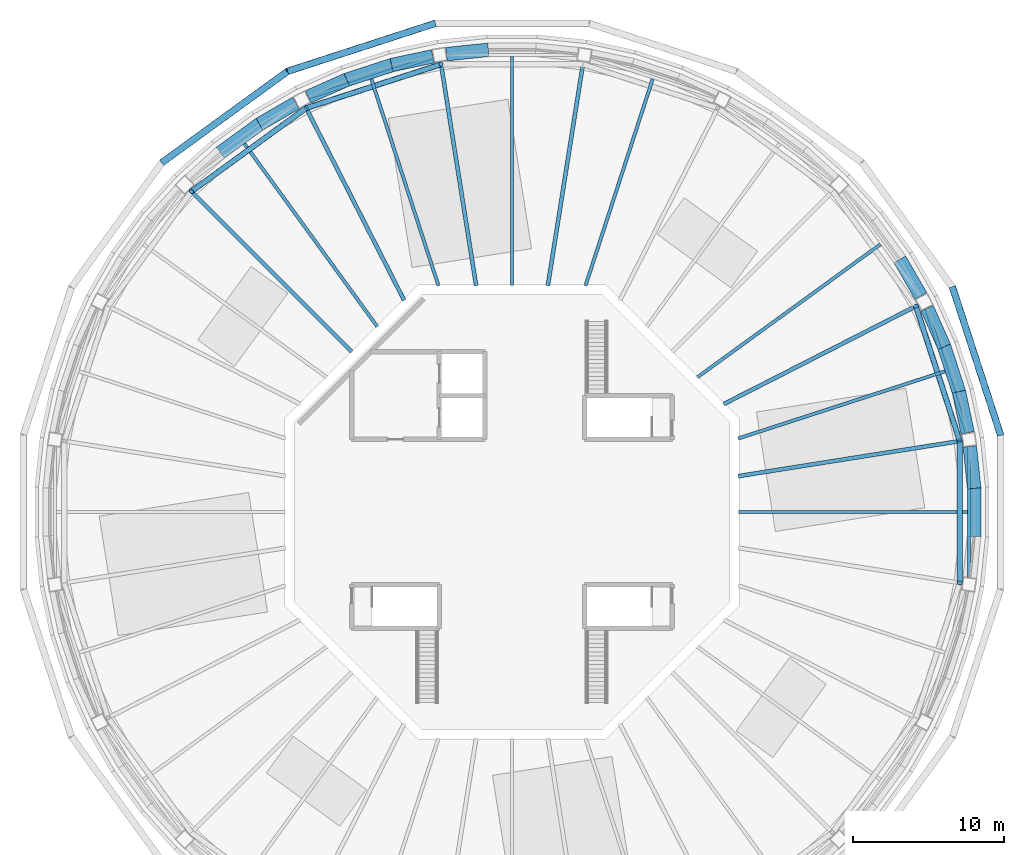
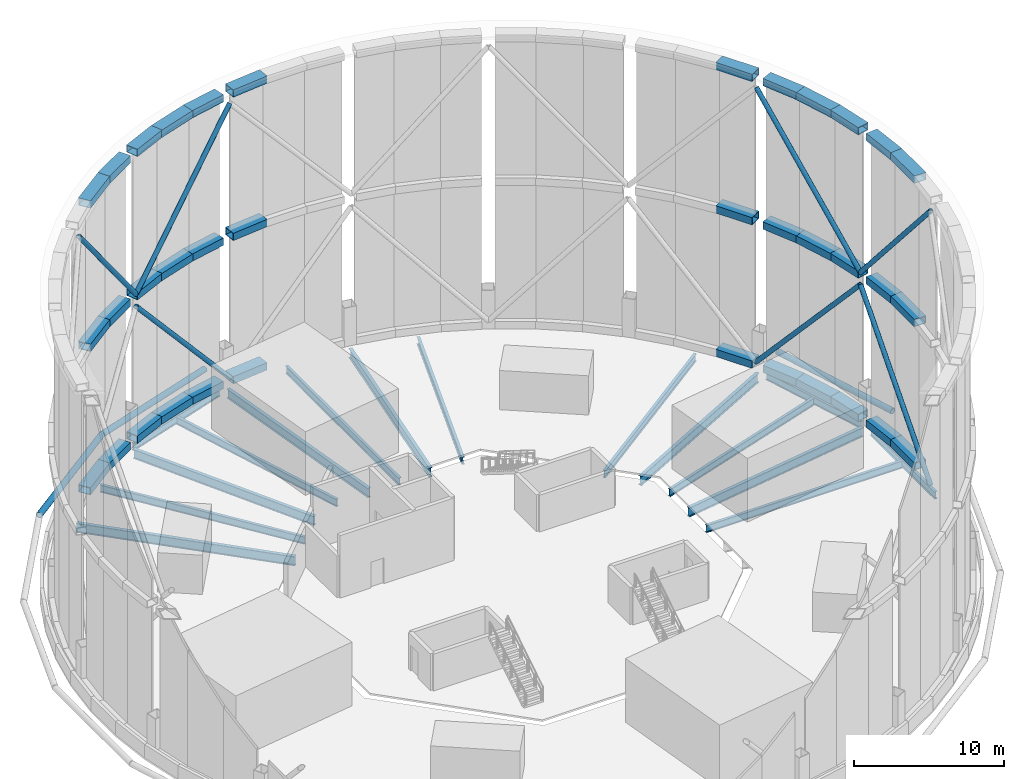
# One storey, part 4 of 11: 52 beams, 10 members.
"""IFC4 building model written with IfcOpenShell, lengths in metres."""

from ifc_helpers import new_model, si_unit, direction, frame, origin, origin_2d, place, context, subcontext, project, spatial, hollow_rectangle, circle, hollow_circle, i_section, extrude, material, material_profile, profile_set, type_object, element, save


model = new_model("IFC4")

# Units and contexts
model_context = context("Model", 3, precision=1e-05, world=origin(), true_north=direction((0.0, 1.0)))
body_context = subcontext(model_context, "Body", "Model", "MODEL_VIEW")
ifc_project = project(units=[si_unit("LENGTHUNIT", "METRE"), si_unit("AREAUNIT", "SQUARE_METRE"), si_unit("VOLUMEUNIT", "CUBIC_METRE"), si_unit("PLANEANGLEUNIT", "RADIAN"), si_unit("MASSUNIT", "GRAM", prefix="KILO")], contexts=[model_context])

# Site, building, storey
site_placement = place(None, origin())
site = spatial("IfcSite", under=ifc_project, at=site_placement, CompositionType="ELEMENT")
building_placement = place(site_placement, origin())
building = spatial("IfcBuilding", under=site, at=building_placement, Name="Entoto Ring Tower", CompositionType="ELEMENT")
storey_placement = place(building_placement, frame((0.0, 0.0, 415.0)))
storey = spatial("IfcBuildingStorey", under=building, at=storey_placement, Name="ROOF", CompositionType="ELEMENT", Elevation=415.0)

# Members
ifc_material_1 = material(Name="Steel S355", Category="steel")
ifc_material_profile_1 = material_profile(ifc_material_1, hollow_circle(Radius=0.177490234375, WallThickness=0.01611328125, at=origin_2d()), Name="Crown frame brace 355.6 x 16 mm tube")
ifc_profile_set_1 = profile_set([ifc_material_profile_1], Name="Steel S355")
member_type_1 = type_object("IfcMemberType", Name="Crown frame brace 355.6 x 16 mm tube", PredefinedType="BRACE", material=ifc_profile_set_1)
for number, where, z_axis, x_axis, name in (
    (1, (119.60595703125, 84.689208984375, 11.5), (-0.203677789835, 0.626871162261, -0.752029190825), (-0.951058744681, -0.309010136024, 0.0), "CROWN FRAME BRACE 1-01"),
    (2, (85.310791015625, 109.60595703125, 0.800048828125), (-0.626871162261, -0.203677789835, 0.752029190825), (0.309010136024, -0.951058744681, 0.0), "CROWN FRAME BRACE 1-06"),
):
    element("IfcMember", number, at=place(storey_placement, frame(where, z_axis=z_axis, x_axis=x_axis)), inside=storey, type_object=member_type_1, Name=name, PredefinedType="BRACE", context=body_context, shape_type="SweptSolid", body=[
        extrude(hollow_circle(Radius=0.177490234375, WallThickness=0.01611328125, at=origin_2d()), origin(), (0.0, 0.0, 1.0), 14.22802734375),
    ])
member_1_placement = place(storey_placement, frame((119.60595703125, 75.310791015625, 0.800048828125), z_axis=(0.0, 0.659139705863, 0.752020510461), x_axis=(-1.0, 0.0, 0.0)))
element("IfcMember", 3, at=member_1_placement, inside=storey, type_object=member_type_1, Name="CROWN FRAME BRACE 1-20", PredefinedType="BRACE", context=body_context, shape_type="SweptSolid", body=[
    extrude(hollow_circle(Radius=0.177490234375, WallThickness=0.01611328125, at=origin_2d()), origin(), (0.0, 0.0, 1.0), 14.228271484375),
])
for number, where, z_axis, x_axis, name in (
    (4, (119.60595703125, 84.689208984375, 12.5), (-0.203677789835, 0.626871162261, 0.752029190825), (-0.951058744681, -0.309010136024, 0.0), "CROWN FRAME BRACE 2-01"),
    (5, (85.310791015625, 109.60595703125, 23.199951171875), (-0.626871162261, -0.203677789835, -0.752029190825), (0.309010136024, -0.951058744681, 0.0), "CROWN FRAME BRACE 2-06"),
):
    element("IfcMember", number, at=place(storey_placement, frame(where, z_axis=z_axis, x_axis=x_axis)), inside=storey, type_object=member_type_1, Name=name, PredefinedType="BRACE", context=body_context, shape_type="SweptSolid", body=[
        extrude(hollow_circle(Radius=0.177490234375, WallThickness=0.01611328125, at=origin_2d()), origin(), (0.0, 0.0, 1.0), 14.22802734375),
    ])
for number, where, z_axis, x_axis, name in (
    (6, (76.3916015625, 106.7080078125, 12.5), (-0.533248763598, -0.387431986141, 0.752025406643), (0.587789305023, -0.809014049878, 0.0), "CROWN FRAME BRACE 2-07"),
    (7, (119.60595703125, 75.310791015625, 23.199951171875), (0.0, 0.659139705863, -0.752020510461), (-1.0, 0.0, 0.0), "CROWN FRAME BRACE 2-20"),
):
    element("IfcMember", number, at=place(storey_placement, frame(where, z_axis=z_axis, x_axis=x_axis)), inside=storey, type_object=member_type_1, Name=name, PredefinedType="BRACE", context=body_context, shape_type="SweptSolid", body=[
        extrude(hollow_circle(Radius=0.177490234375, WallThickness=0.01611328125, at=origin_2d()), origin(), (0.0, 0.0, 1.0), 14.228271484375),
    ])

# Beams
ifc_material_2 = material(Name="Steel S355", Category="steel")
ifc_material_profile_2 = material_profile(ifc_material_2, hollow_rectangle(XDim=0.89990234375, YDim=0.60009765625, WallThickness=0.0400390625, at=origin_2d()), Name="Crown frame ring beam 900 x 600 x 40 mm")
ifc_profile_set_2 = profile_set([ifc_material_profile_2], Name="Steel S355")
beam_type_1 = type_object("IfcBeamType", Name="Crown frame ring beam 900 x 600 x 40 mm", PredefinedType="BEAM", material=ifc_profile_set_2)
beam_1_placement = place(storey_placement, frame((120.129638671875, 85.22705078125, 0.300048828125), z_axis=(-0.207871285632, 0.978156188249, 0.0), x_axis=(-0.978156188249, -0.207871285632, 0.0)))
element("IfcBeam", 8, at=beam_1_placement, inside=storey, type_object=beam_type_1, Name="CROWN FRAME BOTTOM RING 00", PredefinedType="BEAM", context=body_context, shape_type="SweptSolid", body=[
    extrude(hollow_rectangle(XDim=0.89990234375, YDim=0.60009765625, WallThickness=0.0400390625, at=origin_2d()), origin(), (0.0, 0.0, 1.0), 2.79638671875),
])
beam_2_placement = place(storey_placement, frame((119.57080078125, 87.87841796875, 0.300048828125), z_axis=(-0.308983720778, 0.951067326899, 0.0), x_axis=(-0.951067326899, -0.308983720778, 0.0)))
element("IfcBeam", 9, at=beam_2_placement, inside=storey, type_object=beam_type_1, Name="CROWN FRAME BOTTOM RING 01", PredefinedType="BEAM", context=body_context, shape_type="SweptSolid", body=[
    extrude(hollow_rectangle(XDim=0.89990234375, YDim=0.60009765625, WallThickness=0.0400390625, at=origin_2d()), origin(), (0.0, 0.0, 1.0), 3.2900390625),
])
for number, where, z_axis, x_axis, name in (
    (10, (118.585205078125, 90.92626953125, 0.300048828125), (-0.406745899001, 0.913541336583, 0.0), (-0.913541336583, -0.406745899001, 0.0), "CROWN FRAME BOTTOM RING 02"),
    (11, (117.039794921875, 94.28173828125, 0.300048828125), (-0.49997939631, 0.866037299004, 0.0), (-0.866037299004, -0.49997939631, 0.0), "CROWN FRAME BOTTOM RING 03"),
):
    element("IfcBeam", number, at=place(storey_placement, frame(where, z_axis=z_axis, x_axis=x_axis)), inside=storey, type_object=beam_type_1, Name=name, PredefinedType="BEAM", context=body_context, shape_type="SweptSolid", body=[
        extrude(hollow_rectangle(XDim=0.89990234375, YDim=0.60009765625, WallThickness=0.0400390625, at=origin_2d()), origin(), (0.0, 0.0, 1.0), 2.79638671875),
    ])
beam_3_placement = place(storey_placement, frame((88.44189453125, 110.5625, 0.300048828125), z_axis=(-0.994525048139, -0.104498462309, 0.0), x_axis=(0.104498462309, -0.994525048139, 0.0)))
element("IfcBeam", 12, at=beam_3_placement, inside=storey, type_object=beam_type_1, Name="CROWN FRAME BOTTOM RING 14", PredefinedType="BEAM", context=body_context, shape_type="SweptSolid", body=[
    extrude(hollow_rectangle(XDim=0.89990234375, YDim=0.60009765625, WallThickness=0.0400390625, at=origin_2d()), origin(), (0.0, 0.0, 1.0), 2.796630859375),
])
beam_4_placement = place(storey_placement, frame((84.77294921875, 110.129638671875, 0.300048828125), z_axis=(-0.978156188249, -0.207871285632, 0.0), x_axis=(0.207871285632, -0.978156188249, 0.0)))
element("IfcBeam", 13, at=beam_4_placement, inside=storey, type_object=beam_type_1, Name="CROWN FRAME BOTTOM RING 15", PredefinedType="BEAM", context=body_context, shape_type="SweptSolid", body=[
    extrude(hollow_rectangle(XDim=0.89990234375, YDim=0.60009765625, WallThickness=0.0400390625, at=origin_2d()), origin(), (0.0, 0.0, 1.0), 2.79638671875),
])
beam_5_placement = place(storey_placement, frame((82.12158203125, 109.57080078125, 0.300048828125), z_axis=(-0.951067326899, -0.308983720778, 0.0), x_axis=(0.308983720778, -0.951067326899, 0.0)))
element("IfcBeam", 14, at=beam_5_placement, inside=storey, type_object=beam_type_1, Name="CROWN FRAME BOTTOM RING 16", PredefinedType="BEAM", context=body_context, shape_type="SweptSolid", body=[
    extrude(hollow_rectangle(XDim=0.89990234375, YDim=0.60009765625, WallThickness=0.0400390625, at=origin_2d()), origin(), (0.0, 0.0, 1.0), 3.2900390625),
])
for number, where, z_axis, x_axis, name in (
    (15, (79.07373046875, 108.585205078125, 0.300048828125), (-0.913541336583, -0.406745899001, 0.0), (0.406745899001, -0.913541336583, 0.0), "CROWN FRAME BOTTOM RING 17"),
    (16, (75.71826171875, 107.039794921875, 0.300048828125), (-0.866037299004, -0.49997939631, 0.0), (0.49997939631, -0.866037299004, 0.0), "CROWN FRAME BOTTOM RING 18"),
):
    element("IfcBeam", number, at=place(storey_placement, frame(where, z_axis=z_axis, x_axis=x_axis)), inside=storey, type_object=beam_type_1, Name=name, PredefinedType="BEAM", context=body_context, shape_type="SweptSolid", body=[
        extrude(hollow_rectangle(XDim=0.89990234375, YDim=0.60009765625, WallThickness=0.0400390625, at=origin_2d()), origin(), (0.0, 0.0, 1.0), 2.79638671875),
    ])
beam_6_placement = place(storey_placement, frame((73.369384765625, 105.68896484375, 0.300048828125), z_axis=(-0.809034396265, -0.5877612999, 0.0), x_axis=(0.5877612999, -0.809034396265, 0.0)))
element("IfcBeam", 17, at=beam_6_placement, inside=storey, type_object=beam_type_1, Name="CROWN FRAME BOTTOM RING 19", PredefinedType="BEAM", context=body_context, shape_type="SweptSolid", body=[
    extrude(hollow_rectangle(XDim=0.89990234375, YDim=0.60009765625, WallThickness=0.0400390625, at=origin_2d()), origin(), (0.0, 0.0, 1.0), 3.290283203125),
])
beam_7_placement = place(storey_placement, frame((120.55810546875, 78.35498046875, 0.300048828125), z_axis=(0.0, 1.0, 0.0), x_axis=(-1.0, 0.0, 0.0)))
element("IfcBeam", 18, at=beam_7_placement, inside=storey, type_object=beam_type_1, Name="CROWN FRAME BOTTOM RING 58", PredefinedType="BEAM", context=body_context, shape_type="SweptSolid", body=[
    extrude(hollow_rectangle(XDim=0.89990234375, YDim=0.60009765625, WallThickness=0.0400390625, at=origin_2d()), origin(), (0.0, 0.0, 1.0), 3.2900390625),
])
beam_8_placement = place(storey_placement, frame((120.5625, 81.55810546875, 0.300048828125), z_axis=(-0.104498462309, 0.994525048139, 0.0), x_axis=(-0.994525048139, -0.104498462309, 0.0)))
element("IfcBeam", 19, at=beam_8_placement, inside=storey, type_object=beam_type_1, Name="CROWN FRAME BOTTOM RING 59", PredefinedType="BEAM", context=body_context, shape_type="SweptSolid", body=[
    extrude(hollow_rectangle(XDim=0.89990234375, YDim=0.60009765625, WallThickness=0.0400390625, at=origin_2d()), origin(), (0.0, 0.0, 1.0), 2.796630859375),
])
beam_9_placement = place(storey_placement, frame((120.129638671875, 85.22705078125, 12.0), z_axis=(-0.207871285632, 0.978156188249, 0.0), x_axis=(-0.978156188249, -0.207871285632, 0.0)))
element("IfcBeam", 20, at=beam_9_placement, inside=storey, type_object=beam_type_1, Name="CROWN FRAME MIDDLE RING 00", PredefinedType="BEAM", context=body_context, shape_type="SweptSolid", body=[
    extrude(hollow_rectangle(XDim=0.89990234375, YDim=0.60009765625, WallThickness=0.0400390625, at=origin_2d()), origin(), (0.0, 0.0, 1.0), 2.79638671875),
])
beam_10_placement = place(storey_placement, frame((119.57080078125, 87.87841796875, 12.0), z_axis=(-0.308983720778, 0.951067326899, 0.0), x_axis=(-0.951067326899, -0.308983720778, 0.0)))
element("IfcBeam", 21, at=beam_10_placement, inside=storey, type_object=beam_type_1, Name="CROWN FRAME MIDDLE RING 01", PredefinedType="BEAM", context=body_context, shape_type="SweptSolid", body=[
    extrude(hollow_rectangle(XDim=0.89990234375, YDim=0.60009765625, WallThickness=0.0400390625, at=origin_2d()), origin(), (0.0, 0.0, 1.0), 3.2900390625),
])
for number, where, z_axis, x_axis, name in (
    (22, (118.585205078125, 90.92626953125, 12.0), (-0.406745899001, 0.913541336583, 0.0), (-0.913541336583, -0.406745899001, 0.0), "CROWN FRAME MIDDLE RING 02"),
    (23, (117.039794921875, 94.28173828125, 12.0), (-0.49997939631, 0.866037299004, 0.0), (-0.866037299004, -0.49997939631, 0.0), "CROWN FRAME MIDDLE RING 03"),
):
    element("IfcBeam", number, at=place(storey_placement, frame(where, z_axis=z_axis, x_axis=x_axis)), inside=storey, type_object=beam_type_1, Name=name, PredefinedType="BEAM", context=body_context, shape_type="SweptSolid", body=[
        extrude(hollow_rectangle(XDim=0.89990234375, YDim=0.60009765625, WallThickness=0.0400390625, at=origin_2d()), origin(), (0.0, 0.0, 1.0), 2.79638671875),
    ])
beam_11_placement = place(storey_placement, frame((88.44189453125, 110.5625, 12.0), z_axis=(-0.994525048139, -0.104498462309, 0.0), x_axis=(0.104498462309, -0.994525048139, 0.0)))
element("IfcBeam", 24, at=beam_11_placement, inside=storey, type_object=beam_type_1, Name="CROWN FRAME MIDDLE RING 14", PredefinedType="BEAM", context=body_context, shape_type="SweptSolid", body=[
    extrude(hollow_rectangle(XDim=0.89990234375, YDim=0.60009765625, WallThickness=0.0400390625, at=origin_2d()), origin(), (0.0, 0.0, 1.0), 2.796630859375),
])
beam_12_placement = place(storey_placement, frame((84.77294921875, 110.129638671875, 12.0), z_axis=(-0.978156188249, -0.207871285632, 0.0), x_axis=(0.207871285632, -0.978156188249, 0.0)))
element("IfcBeam", 25, at=beam_12_placement, inside=storey, type_object=beam_type_1, Name="CROWN FRAME MIDDLE RING 15", PredefinedType="BEAM", context=body_context, shape_type="SweptSolid", body=[
    extrude(hollow_rectangle(XDim=0.89990234375, YDim=0.60009765625, WallThickness=0.0400390625, at=origin_2d()), origin(), (0.0, 0.0, 1.0), 2.79638671875),
])
beam_13_placement = place(storey_placement, frame((82.12158203125, 109.57080078125, 12.0), z_axis=(-0.951067326899, -0.308983720778, 0.0), x_axis=(0.308983720778, -0.951067326899, 0.0)))
element("IfcBeam", 26, at=beam_13_placement, inside=storey, type_object=beam_type_1, Name="CROWN FRAME MIDDLE RING 16", PredefinedType="BEAM", context=body_context, shape_type="SweptSolid", body=[
    extrude(hollow_rectangle(XDim=0.89990234375, YDim=0.60009765625, WallThickness=0.0400390625, at=origin_2d()), origin(), (0.0, 0.0, 1.0), 3.2900390625),
])
for number, where, z_axis, x_axis, name in (
    (27, (79.07373046875, 108.585205078125, 12.0), (-0.913541336583, -0.406745899001, 0.0), (0.406745899001, -0.913541336583, 0.0), "CROWN FRAME MIDDLE RING 17"),
    (28, (75.71826171875, 107.039794921875, 12.0), (-0.866037299004, -0.49997939631, 0.0), (0.49997939631, -0.866037299004, 0.0), "CROWN FRAME MIDDLE RING 18"),
):
    element("IfcBeam", number, at=place(storey_placement, frame(where, z_axis=z_axis, x_axis=x_axis)), inside=storey, type_object=beam_type_1, Name=name, PredefinedType="BEAM", context=body_context, shape_type="SweptSolid", body=[
        extrude(hollow_rectangle(XDim=0.89990234375, YDim=0.60009765625, WallThickness=0.0400390625, at=origin_2d()), origin(), (0.0, 0.0, 1.0), 2.79638671875),
    ])
beam_14_placement = place(storey_placement, frame((73.369384765625, 105.68896484375, 12.0), z_axis=(-0.809034396265, -0.5877612999, 0.0), x_axis=(0.5877612999, -0.809034396265, 0.0)))
element("IfcBeam", 29, at=beam_14_placement, inside=storey, type_object=beam_type_1, Name="CROWN FRAME MIDDLE RING 19", PredefinedType="BEAM", context=body_context, shape_type="SweptSolid", body=[
    extrude(hollow_rectangle(XDim=0.89990234375, YDim=0.60009765625, WallThickness=0.0400390625, at=origin_2d()), origin(), (0.0, 0.0, 1.0), 3.290283203125),
])
beam_15_placement = place(storey_placement, frame((120.55810546875, 78.35498046875, 12.0), z_axis=(0.0, 1.0, 0.0), x_axis=(-1.0, 0.0, 0.0)))
element("IfcBeam", 30, at=beam_15_placement, inside=storey, type_object=beam_type_1, Name="CROWN FRAME MIDDLE RING 58", PredefinedType="BEAM", context=body_context, shape_type="SweptSolid", body=[
    extrude(hollow_rectangle(XDim=0.89990234375, YDim=0.60009765625, WallThickness=0.0400390625, at=origin_2d()), origin(), (0.0, 0.0, 1.0), 3.2900390625),
])
beam_16_placement = place(storey_placement, frame((120.5625, 81.55810546875, 12.0), z_axis=(-0.104498462309, 0.994525048139, 0.0), x_axis=(-0.994525048139, -0.104498462309, 0.0)))
element("IfcBeam", 31, at=beam_16_placement, inside=storey, type_object=beam_type_1, Name="CROWN FRAME MIDDLE RING 59", PredefinedType="BEAM", context=body_context, shape_type="SweptSolid", body=[
    extrude(hollow_rectangle(XDim=0.89990234375, YDim=0.60009765625, WallThickness=0.0400390625, at=origin_2d()), origin(), (0.0, 0.0, 1.0), 2.796630859375),
])
beam_17_placement = place(storey_placement, frame((120.129638671875, 85.22705078125, 23.699951171875), z_axis=(-0.207871285632, 0.978156188249, 0.0), x_axis=(-0.978156188249, -0.207871285632, 0.0)))
element("IfcBeam", 32, at=beam_17_placement, inside=storey, type_object=beam_type_1, Name="CROWN FRAME TOP RING 00", PredefinedType="BEAM", context=body_context, shape_type="SweptSolid", body=[
    extrude(hollow_rectangle(XDim=0.89990234375, YDim=0.60009765625, WallThickness=0.0400390625, at=origin_2d()), origin(), (0.0, 0.0, 1.0), 2.79638671875),
])
beam_18_placement = place(storey_placement, frame((119.57080078125, 87.87841796875, 23.699951171875), z_axis=(-0.308983720778, 0.951067326899, 0.0), x_axis=(-0.951067326899, -0.308983720778, 0.0)))
element("IfcBeam", 33, at=beam_18_placement, inside=storey, type_object=beam_type_1, Name="CROWN FRAME TOP RING 01", PredefinedType="BEAM", context=body_context, shape_type="SweptSolid", body=[
    extrude(hollow_rectangle(XDim=0.89990234375, YDim=0.60009765625, WallThickness=0.0400390625, at=origin_2d()), origin(), (0.0, 0.0, 1.0), 3.2900390625),
])
for number, where, z_axis, x_axis, name in (
    (34, (118.585205078125, 90.92626953125, 23.699951171875), (-0.406745899001, 0.913541336583, 0.0), (-0.913541336583, -0.406745899001, 0.0), "CROWN FRAME TOP RING 02"),
    (35, (117.039794921875, 94.28173828125, 23.699951171875), (-0.49997939631, 0.866037299004, 0.0), (-0.866037299004, -0.49997939631, 0.0), "CROWN FRAME TOP RING 03"),
):
    element("IfcBeam", number, at=place(storey_placement, frame(where, z_axis=z_axis, x_axis=x_axis)), inside=storey, type_object=beam_type_1, Name=name, PredefinedType="BEAM", context=body_context, shape_type="SweptSolid", body=[
        extrude(hollow_rectangle(XDim=0.89990234375, YDim=0.60009765625, WallThickness=0.0400390625, at=origin_2d()), origin(), (0.0, 0.0, 1.0), 2.79638671875),
    ])
beam_19_placement = place(storey_placement, frame((88.44189453125, 110.5625, 23.699951171875), z_axis=(-0.994525048139, -0.104498462309, 0.0), x_axis=(0.104498462309, -0.994525048139, 0.0)))
element("IfcBeam", 36, at=beam_19_placement, inside=storey, type_object=beam_type_1, Name="CROWN FRAME TOP RING 14", PredefinedType="BEAM", context=body_context, shape_type="SweptSolid", body=[
    extrude(hollow_rectangle(XDim=0.89990234375, YDim=0.60009765625, WallThickness=0.0400390625, at=origin_2d()), origin(), (0.0, 0.0, 1.0), 2.796630859375),
])
beam_20_placement = place(storey_placement, frame((84.77294921875, 110.129638671875, 23.699951171875), z_axis=(-0.978156188249, -0.207871285632, 0.0), x_axis=(0.207871285632, -0.978156188249, 0.0)))
element("IfcBeam", 37, at=beam_20_placement, inside=storey, type_object=beam_type_1, Name="CROWN FRAME TOP RING 15", PredefinedType="BEAM", context=body_context, shape_type="SweptSolid", body=[
    extrude(hollow_rectangle(XDim=0.89990234375, YDim=0.60009765625, WallThickness=0.0400390625, at=origin_2d()), origin(), (0.0, 0.0, 1.0), 2.79638671875),
])
beam_21_placement = place(storey_placement, frame((82.12158203125, 109.57080078125, 23.699951171875), z_axis=(-0.951067326899, -0.308983720778, 0.0), x_axis=(0.308983720778, -0.951067326899, 0.0)))
element("IfcBeam", 38, at=beam_21_placement, inside=storey, type_object=beam_type_1, Name="CROWN FRAME TOP RING 16", PredefinedType="BEAM", context=body_context, shape_type="SweptSolid", body=[
    extrude(hollow_rectangle(XDim=0.89990234375, YDim=0.60009765625, WallThickness=0.0400390625, at=origin_2d()), origin(), (0.0, 0.0, 1.0), 3.2900390625),
])
for number, where, z_axis, x_axis, name in (
    (39, (79.07373046875, 108.585205078125, 23.699951171875), (-0.913541336583, -0.406745899001, 0.0), (0.406745899001, -0.913541336583, 0.0), "CROWN FRAME TOP RING 17"),
    (40, (75.71826171875, 107.039794921875, 23.699951171875), (-0.866037299004, -0.49997939631, 0.0), (0.49997939631, -0.866037299004, 0.0), "CROWN FRAME TOP RING 18"),
):
    element("IfcBeam", number, at=place(storey_placement, frame(where, z_axis=z_axis, x_axis=x_axis)), inside=storey, type_object=beam_type_1, Name=name, PredefinedType="BEAM", context=body_context, shape_type="SweptSolid", body=[
        extrude(hollow_rectangle(XDim=0.89990234375, YDim=0.60009765625, WallThickness=0.0400390625, at=origin_2d()), origin(), (0.0, 0.0, 1.0), 2.79638671875),
    ])
beam_22_placement = place(storey_placement, frame((73.369384765625, 105.68896484375, 23.699951171875), z_axis=(-0.809034396265, -0.5877612999, 0.0), x_axis=(0.5877612999, -0.809034396265, 0.0)))
element("IfcBeam", 41, at=beam_22_placement, inside=storey, type_object=beam_type_1, Name="CROWN FRAME TOP RING 19", PredefinedType="BEAM", context=body_context, shape_type="SweptSolid", body=[
    extrude(hollow_rectangle(XDim=0.89990234375, YDim=0.60009765625, WallThickness=0.0400390625, at=origin_2d()), origin(), (0.0, 0.0, 1.0), 3.290283203125),
])
beam_23_placement = place(storey_placement, frame((120.55810546875, 78.35498046875, 23.699951171875), z_axis=(0.0, 1.0, 0.0), x_axis=(-1.0, 0.0, 0.0)))
element("IfcBeam", 42, at=beam_23_placement, inside=storey, type_object=beam_type_1, Name="CROWN FRAME TOP RING 58", PredefinedType="BEAM", context=body_context, shape_type="SweptSolid", body=[
    extrude(hollow_rectangle(XDim=0.89990234375, YDim=0.60009765625, WallThickness=0.0400390625, at=origin_2d()), origin(), (0.0, 0.0, 1.0), 3.2900390625),
])
beam_24_placement = place(storey_placement, frame((120.5625, 81.55810546875, 23.699951171875), z_axis=(-0.104498462309, 0.994525048139, 0.0), x_axis=(-0.994525048139, -0.104498462309, 0.0)))
element("IfcBeam", 43, at=beam_24_placement, inside=storey, type_object=beam_type_1, Name="CROWN FRAME TOP RING 59", PredefinedType="BEAM", context=body_context, shape_type="SweptSolid", body=[
    extrude(hollow_rectangle(XDim=0.89990234375, YDim=0.60009765625, WallThickness=0.0400390625, at=origin_2d()), origin(), (0.0, 0.0, 1.0), 2.796630859375),
])

# Members
ifc_material_3 = material(Name="Steel S355", Category="steel")
ifc_material_profile_3 = material_profile(ifc_material_3, hollow_circle(Radius=0.228515625, WallThickness=0.02001953125, at=origin_2d()), Name="CHS 457 x 20")
ifc_material_4 = material(Name="Concrete C60/75", Category="concrete")
ifc_material_profile_4 = material_profile(ifc_material_4, circle(Radius=0.20849609375, at=origin_2d()), Name="Concrete C60/75 infill")
ifc_profile_set_3 = profile_set([ifc_material_profile_3, ifc_material_profile_4], Name="Steel S355")
member_type_2 = type_object("IfcMemberType", Name="Diagrid ring beam 457 x 20", PredefinedType="CHORD", material=ifc_profile_set_3)
for number, where, z_axis, x_axis, name in (
    (44, (122.314697265625, 85.06201171875, 0.0), (-0.309002809244, 0.951061125206, 0.0), (-0.951061125206, -0.309002809244, 0.0), "DR3 ring 30 01"),
    (45, (84.93798828125, 112.314697265625, 0.0), (-0.951061125206, -0.309002809244, 0.0), (0.309002809244, -0.951061125206, 0.0), "DR3 ring 30 06"),
):
    element("IfcMember", number, at=place(storey_placement, frame(where, z_axis=z_axis, x_axis=x_axis)), inside=storey, type_object=member_type_2, Name=name, PredefinedType="CHORD", context=body_context, shape_type="SweptSolid", body=[
        extrude(hollow_circle(Radius=0.228515625, WallThickness=0.02001953125, at=origin_2d()), origin(), (0.0, 0.0, 1.0), 10.343017578125),
    ])
member_2_placement = place(storey_placement, frame((75.199951171875, 109.1689453125, 0.0), z_axis=(-0.809019745966, -0.587781465034, 0.0), x_axis=(0.587781465034, -0.809019745966, 0.0)))
element("IfcMember", 46, at=member_2_placement, inside=storey, type_object=member_type_2, Name="DR3 ring 30 07", PredefinedType="CHORD", context=body_context, shape_type="SweptSolid", body=[
    extrude(hollow_circle(Radius=0.228515625, WallThickness=0.02001953125, at=origin_2d()), origin(), (0.0, 0.0, 1.0), 10.34326171875),
])

# Beams
ifc_material_5 = material(Name="Steel S355", Category="steel")
ifc_material_profile_5 = material_profile(ifc_material_5, i_section(OverallWidth=0.219970703125, OverallDepth=0.60009765625, WebThickness=0.011962890625, FlangeThickness=0.01904296875, FilletRadius=0.02392578125, at=origin_2d()), Name="IPE 600")
ifc_profile_set_4 = profile_set([ifc_material_profile_5], Name="Steel S355")
beam_type_2 = type_object("IfcBeamType", Name="Edge beam IPE 600", PredefinedType="SPANDREL", material=ifc_profile_set_4)
for number, where, z_axis, x_axis, name in (
    (47, (120.078857421875, 85.231689453125, -0.449951171875), (-0.309020248661, 0.951055458907, 0.0), (-0.951055458907, -0.309020248661, 0.0), "Edge beam ROOF 01"),
    (48, (84.768310546875, 110.078857421875, -0.449951171875), (-0.951055458907, -0.309020248661, 0.0), (0.309020248661, -0.951055458907, 0.0), "Edge beam ROOF 06"),
):
    element("IfcBeam", number, at=place(storey_placement, frame(where, z_axis=z_axis, x_axis=x_axis)), inside=storey, type_object=beam_type_2, Name=name, PredefinedType="SPANDREL", context=body_context, shape_type="SweptSolid", body=[
        extrude(i_section(OverallWidth=0.219970703125, OverallDepth=0.60009765625, WebThickness=0.011962890625, FlangeThickness=0.01904296875, FilletRadius=0.02392578125, at=origin_2d()), origin(), (0.0, 0.0, 1.0), 8.638427734375),
    ])
beam_25_placement = place(storey_placement, frame((120.22314453125, 75.680908203125, -0.449951171875), z_axis=(0.0, 1.0, 0.0), x_axis=(-1.0, 0.0, 0.0)))
element("IfcBeam", 49, at=beam_25_placement, inside=storey, type_object=beam_type_2, Name="Edge beam ROOF 20", PredefinedType="SPANDREL", context=body_context, shape_type="SweptSolid", body=[
    extrude(i_section(OverallWidth=0.219970703125, OverallDepth=0.60009765625, WebThickness=0.011962890625, FlangeThickness=0.01904296875, FilletRadius=0.02392578125, at=origin_2d()), origin(), (0.0, 0.0, 1.0), 8.63818359375),
])
ifc_material_6 = material(Name="Steel S355", Category="steel")
ifc_material_profile_6 = material_profile(ifc_material_6, i_section(OverallWidth=0.262939453125, OverallDepth=0.7529296875, WebThickness=0.011474609375, FlangeThickness=0.01708984375, FilletRadius=0.01708984375, at=origin_2d()), Name="IPE 750 x 137")
ifc_profile_set_5 = profile_set([ifc_material_profile_6], Name="Steel S355")
beam_type_3 = type_object("IfcBeamType", Name="Primary floor beam IPE 750 x 137", PredefinedType="BEAM", material=ifc_profile_set_5)
beam_26_placement = place(storey_placement, frame((104.959716796875, 82.369384765625, -0.526611328125), z_axis=(0.987687983091, 0.156436722214, 0.0), x_axis=(-0.156436722214, 0.987687983091, 0.0)))
element("IfcBeam", 50, at=beam_26_placement, inside=storey, type_object=beam_type_3, Name="Primary ROOF R01", PredefinedType="BEAM", context=body_context, shape_type="SweptSolid", body=[
    extrude(i_section(OverallWidth=0.262939453125, OverallDepth=0.7529296875, WebThickness=0.011474609375, FlangeThickness=0.01708984375, FilletRadius=0.01708984375, at=origin_2d()), origin(), (0.0, 0.0, 1.0), 14.991455078125),
])
beam_27_placement = place(storey_placement, frame((103.9970703125, 87.1318359375, -0.526611328125), z_axis=(0.891007082672, 0.453989403652, 0.0), x_axis=(-0.453989403652, 0.891007082672, 0.0)))
element("IfcBeam", 51, at=beam_27_placement, inside=storey, type_object=beam_type_3, Name="Primary ROOF R02", PredefinedType="BEAM", context=body_context, shape_type="SweptSolid", body=[
    extrude(i_section(OverallWidth=0.262939453125, OverallDepth=0.7529296875, WebThickness=0.011474609375, FlangeThickness=0.01708984375, FilletRadius=0.01708984375, at=origin_2d()), origin(), (0.0, 0.0, 1.0), 14.42822265625),
])
for number, where, z_axis, x_axis, name in (
    (52, (92.369384765625, 94.959716796875, -0.526611328125), (0.156436722214, 0.987687983091, 0.0), (-0.987687983091, 0.156436722214, 0.0), "Primary ROOF R05"),
    (53, (87.630615234375, 94.959716796875, -0.526611328125), (-0.156436722214, 0.987687983091, 0.0), (-0.987687983091, -0.156436722214, 0.0), "Primary ROOF R06"),
):
    element("IfcBeam", number, at=place(storey_placement, frame(where, z_axis=z_axis, x_axis=x_axis)), inside=storey, type_object=beam_type_3, Name=name, PredefinedType="BEAM", context=body_context, shape_type="SweptSolid", body=[
        extrude(i_section(OverallWidth=0.262939453125, OverallDepth=0.7529296875, WebThickness=0.011474609375, FlangeThickness=0.01708984375, FilletRadius=0.01708984375, at=origin_2d()), origin(), (0.0, 0.0, 1.0), 14.991455078125),
    ])
beam_28_placement = place(storey_placement, frame((82.8681640625, 93.9970703125, -0.526611328125), z_axis=(-0.453989403652, 0.891007082672, 0.0), x_axis=(-0.891007082672, -0.453989403652, 0.0)))
element("IfcBeam", 54, at=beam_28_placement, inside=storey, type_object=beam_type_3, Name="Primary ROOF R07", PredefinedType="BEAM", context=body_context, shape_type="SweptSolid", body=[
    extrude(i_section(OverallWidth=0.262939453125, OverallDepth=0.7529296875, WebThickness=0.011474609375, FlangeThickness=0.01708984375, FilletRadius=0.01708984375, at=origin_2d()), origin(), (0.0, 0.0, 1.0), 14.42822265625),
])
beam_29_placement = place(storey_placement, frame((79.407470703125, 90.592529296875, -0.526611328125), z_axis=(-0.707106781187, 0.707106781187, 0.0), x_axis=(-0.707106781187, -0.707106781187, 0.0)))
element("IfcBeam", 55, at=beam_29_placement, inside=storey, type_object=beam_type_3, Name="Primary ROOF R08", PredefinedType="BEAM", context=body_context, shape_type="SweptSolid", body=[
    extrude(i_section(OverallWidth=0.262939453125, OverallDepth=0.7529296875, WebThickness=0.011474609375, FlangeThickness=0.01708984375, FilletRadius=0.01708984375, at=origin_2d()), origin(), (0.0, 0.0, 1.0), 15.157470703125),
])
ifc_material_7 = material(Name="Steel S355", Category="steel")
ifc_material_profile_7 = material_profile(ifc_material_7, i_section(OverallWidth=0.219970703125, OverallDepth=0.60009765625, WebThickness=0.011962890625, FlangeThickness=0.01904296875, FilletRadius=0.02392578125, at=origin_2d()), Name="IPE 600")
ifc_profile_set_6 = profile_set([ifc_material_profile_7], Name="Steel S355")
beam_type_4 = type_object("IfcBeamType", Name="Secondary floor beam IPE 600", PredefinedType="JOIST", material=ifc_profile_set_6)
beam_30_placement = place(storey_placement, frame((104.947021484375, 84.856689453125, -0.449951171875), z_axis=(0.95106048451, 0.309004781199, 0.0), x_axis=(-0.309004781199, 0.95106048451, 0.0)))
element("IfcBeam", 56, at=beam_30_placement, inside=storey, type_object=beam_type_4, Name="Secondary beam ROOF 01", PredefinedType="JOIST", context=body_context, shape_type="SweptSolid", body=[
    extrude(i_section(OverallWidth=0.219970703125, OverallDepth=0.60009765625, WebThickness=0.011962890625, FlangeThickness=0.01904296875, FilletRadius=0.02392578125, at=origin_2d()), origin(), (0.0, 0.0, 1.0), 14.39697265625),
])
beam_31_placement = place(storey_placement, frame((102.25634765625, 88.90478515625, -0.449951171875), z_axis=(0.809013978227, 0.587789403642, 0.0), x_axis=(-0.587789403642, 0.809013978227, 0.0)))
element("IfcBeam", 57, at=beam_31_placement, inside=storey, type_object=beam_type_4, Name="Secondary beam ROOF 02", PredefinedType="JOIST", context=body_context, shape_type="SweptSolid", body=[
    extrude(i_section(OverallWidth=0.219970703125, OverallDepth=0.60009765625, WebThickness=0.011962890625, FlangeThickness=0.01904296875, FilletRadius=0.02392578125, at=origin_2d()), origin(), (0.0, 0.0, 1.0), 14.963623046875),
])
beam_32_placement = place(storey_placement, frame((94.856689453125, 94.947021484375, -0.449951171875), z_axis=(0.309004781199, 0.95106048451, 0.0), x_axis=(-0.95106048451, 0.309004781199, 0.0)))
element("IfcBeam", 58, at=beam_32_placement, inside=storey, type_object=beam_type_4, Name="Secondary beam ROOF 04", PredefinedType="JOIST", context=body_context, shape_type="SweptSolid", body=[
    extrude(i_section(OverallWidth=0.219970703125, OverallDepth=0.60009765625, WebThickness=0.011962890625, FlangeThickness=0.01904296875, FilletRadius=0.02392578125, at=origin_2d()), origin(), (0.0, 0.0, 1.0), 14.39697265625),
])
beam_33_placement = place(storey_placement, frame((90.0, 94.97998046875, -0.449951171875), z_axis=(0.0, 1.0, 0.0), x_axis=(-1.0, 0.0, 0.0)))
element("IfcBeam", 59, at=beam_33_placement, inside=storey, type_object=beam_type_4, Name="Secondary beam ROOF 05", PredefinedType="JOIST", context=body_context, shape_type="SweptSolid", body=[
    extrude(i_section(OverallWidth=0.219970703125, OverallDepth=0.60009765625, WebThickness=0.011962890625, FlangeThickness=0.01904296875, FilletRadius=0.02392578125, at=origin_2d()), origin(), (0.0, 0.0, 1.0), 15.13330078125),
])
beam_34_placement = place(storey_placement, frame((85.143310546875, 94.947021484375, -0.449951171875), z_axis=(-0.309004781199, 0.95106048451, 0.0), x_axis=(-0.95106048451, -0.309004781199, 0.0)))
element("IfcBeam", 60, at=beam_34_placement, inside=storey, type_object=beam_type_4, Name="Secondary beam ROOF 06", PredefinedType="JOIST", context=body_context, shape_type="SweptSolid", body=[
    extrude(i_section(OverallWidth=0.219970703125, OverallDepth=0.60009765625, WebThickness=0.011962890625, FlangeThickness=0.01904296875, FilletRadius=0.02392578125, at=origin_2d()), origin(), (0.0, 0.0, 1.0), 14.39697265625),
])
beam_35_placement = place(storey_placement, frame((81.09521484375, 92.25634765625, -0.449951171875), z_axis=(-0.587789403642, 0.809013978227, 0.0), x_axis=(-0.809013978227, -0.587789403642, 0.0)))
element("IfcBeam", 61, at=beam_35_placement, inside=storey, type_object=beam_type_4, Name="Secondary beam ROOF 07", PredefinedType="JOIST", context=body_context, shape_type="SweptSolid", body=[
    extrude(i_section(OverallWidth=0.219970703125, OverallDepth=0.60009765625, WebThickness=0.011962890625, FlangeThickness=0.01904296875, FilletRadius=0.02392578125, at=origin_2d()), origin(), (0.0, 0.0, 1.0), 14.963623046875),
])
beam_36_placement = place(storey_placement, frame((104.97998046875, 80.0, -0.449951171875), z_axis=(1.0, 0.0, 0.0), x_axis=(0.0, 1.0, 0.0)))
element("IfcBeam", 62, at=beam_36_placement, inside=storey, type_object=beam_type_4, Name="Secondary beam ROOF 20", PredefinedType="JOIST", context=body_context, shape_type="SweptSolid", body=[
    extrude(i_section(OverallWidth=0.219970703125, OverallDepth=0.60009765625, WebThickness=0.011962890625, FlangeThickness=0.01904296875, FilletRadius=0.02392578125, at=origin_2d()), origin(), (0.0, 0.0, 1.0), 15.13330078125),
])

save(model, "model.ifc")
